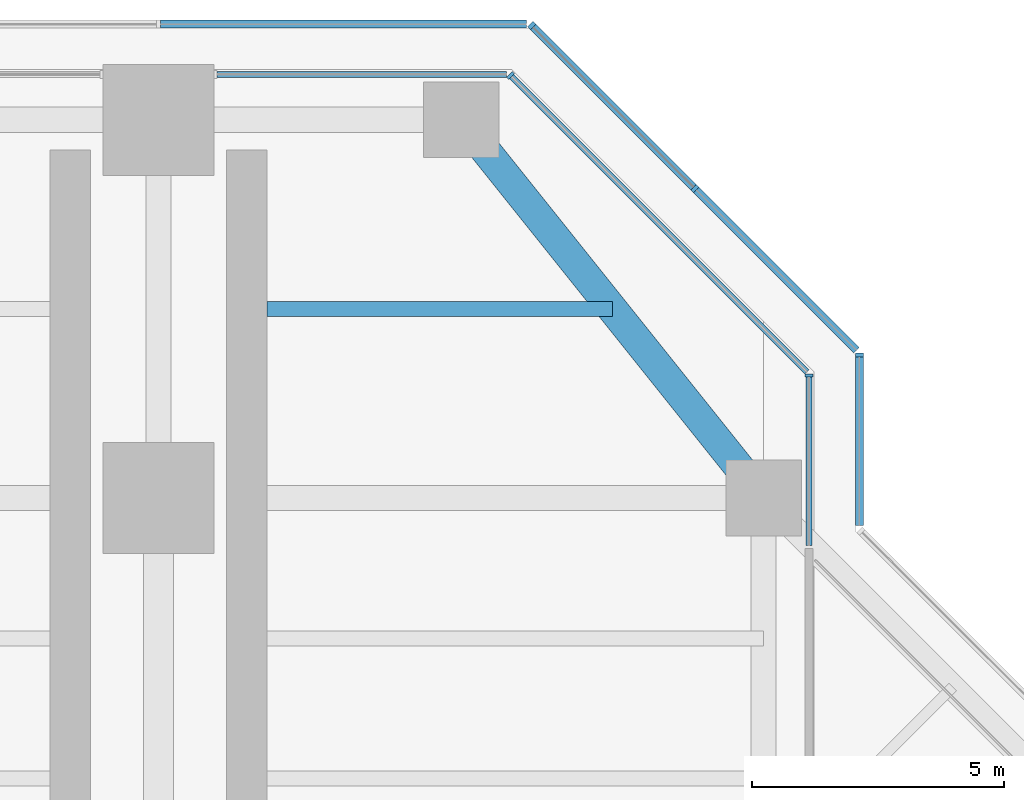
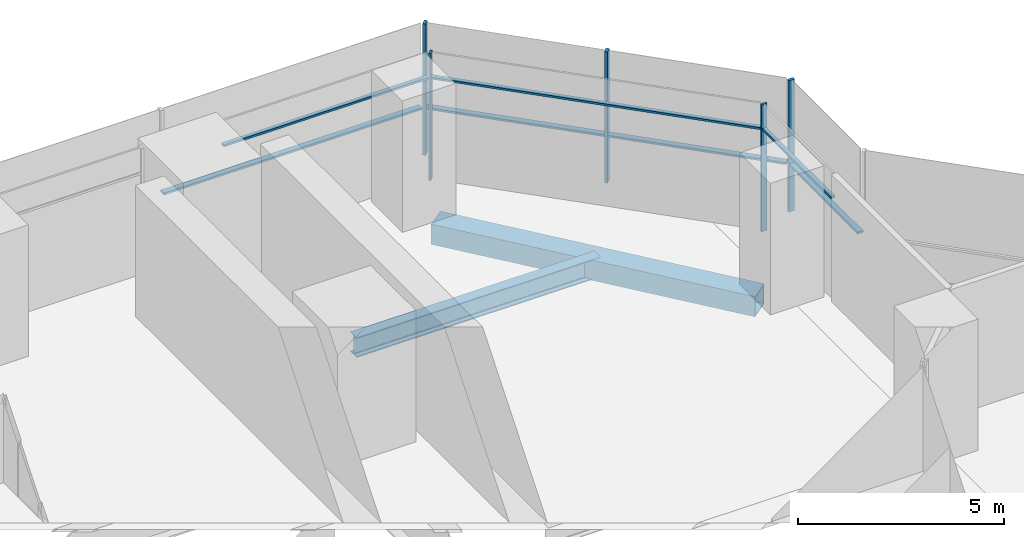
# One storey, part 9 of 17: 12 members, 2 beams, 6 elements without a shape of their own.
"""IFC4 building model written with IfcOpenShell, lengths in metres."""

from ifc_helpers import new_model, si_unit, direction, frame, origin, origin_2d, place, context, subcontext, project, spatial, rectangle, hollow_rectangle, i_section, extrude, material, material_profile, profile_set, type_object, element, aggregate, save


model = new_model("IFC4")

# Units and contexts
model_context = context("Model", 3, precision=1e-05, world=origin(), true_north=direction((0.0, 1.0)))
body_context = subcontext(model_context, "Body", "Model", "MODEL_VIEW")
ifc_project = project(units=[si_unit("LENGTHUNIT", "METRE"), si_unit("AREAUNIT", "SQUARE_METRE"), si_unit("VOLUMEUNIT", "CUBIC_METRE"), si_unit("PLANEANGLEUNIT", "RADIAN"), si_unit("MASSUNIT", "GRAM", prefix="KILO")], contexts=[model_context])

# Site, building, storey
site_placement = place(None, origin())
site = spatial("IfcSite", under=ifc_project, at=site_placement, CompositionType="ELEMENT")
building_placement = place(site_placement, origin())
building = spatial("IfcBuilding", under=site, at=building_placement, Name="Mizan Broadcast Tower", CompositionType="ELEMENT")
storey_placement = place(building_placement, frame((0.0, 0.0, 243.89990234375)))
storey = spatial("IfcBuildingStorey", under=building, at=storey_placement, Name="L57", CompositionType="ELEMENT", Elevation=243.89990234375)

# Beam
ifc_material_1 = material(Name="Steel S355", Category="steel")
ifc_material_profile_1 = material_profile(ifc_material_1, hollow_rectangle(XDim=0.60009765625, YDim=0.60009765625, WallThickness=0.030029296875, at=origin_2d()), Name="BOX 600x600x30")
ifc_profile_set_1 = profile_set([ifc_material_profile_1], Name="Steel S355")
beam_type_1 = type_object("IfcBeamType", Name="EDGE BEAM BOX 600x600x30", PredefinedType="SPANDREL", material=ifc_profile_set_1)
beam_1_placement = place(storey_placement, frame((11.639892578125, 19.949951171875, -0.429931640625), z_axis=(-0.624673911726, 0.780885717636, 0.0), x_axis=(-0.780885717636, -0.624673911726, 0.0)))
element("IfcBeam", 1, at=beam_1_placement, inside=storey, type_object=beam_type_1, Name="Edge beam BOX 600x600x30 L57 north arm", PredefinedType="SPANDREL", context=body_context, shape_type="SweptSolid", body=[
    extrude(hollow_rectangle(XDim=0.60009765625, YDim=0.60009765625, WallThickness=0.030029296875, at=origin_2d()), origin(), (0.0, 0.0, 1.0), 8.4521484375),
])

# Curtain wall, member
ifc_material_2 = material(Name="Aluminium framed glazing", Category="aluminium")
curtain_wall_type_1 = type_object("IfcCurtainWallType", Name="INNER SKIN HIGH ZONE", PredefinedType="USERDEFINED", material=ifc_material_2)
curtain_wall_1_placement = place(storey_placement, origin())
curtain_wall_1 = element("IfcCurtainWall", 2, at=curtain_wall_1_placement, inside=storey, type_object=curtain_wall_type_1, Name="Inner skin high zone L57 N side", ObjectType="INNER SKIN HIGH ZONE", PredefinedType="USERDEFINED")
ifc_material_3 = material(Name="Aluminium, pale anodised", Category="aluminium")
ifc_material_profile_2 = material_profile(ifc_material_3, rectangle(XDim=0.159912109375, YDim=0.06005859375, at=origin_2d()), Name="MULLION 160x60")
ifc_profile_set_2 = profile_set([ifc_material_profile_2], Name="Aluminium, pale anodised")
member_type_1 = type_object("IfcMemberType", Name="INNER SKIN MULLION 60x160", PredefinedType="MULLION", material=ifc_profile_set_2)
member_1_placement = place(storey_placement, frame((12.89990234375, 21.928466796875, 0.0), z_axis=(0.0, 0.0, 1.0), x_axis=(-1.0, 0.0, 0.0)))
member_1 = element("IfcMember", 3, at=member_1_placement, type_object=member_type_1, Name="Inner skin high zone L57 N side mullion 2", PredefinedType="MULLION", context=body_context, shape_type="SweptSolid", body=[
    extrude(rectangle(XDim=0.159912109375, YDim=0.06005859375, at=origin_2d()), origin(), (0.0, 0.0, 1.0), 3.77001953125),
])

curtain_wall_2_placement = place(storey_placement, origin())
curtain_wall_2 = element("IfcCurtainWall", 4, at=curtain_wall_2_placement, inside=storey, type_object=curtain_wall_type_1, Name="Inner skin high zone L57 N chamfer", ObjectType="INNER SKIN HIGH ZONE", PredefinedType="USERDEFINED")
member_2_placement = place(storey_placement, frame((6.979736328125, 27.87890625, 0.0), z_axis=(0.0, 0.0, 1.0), x_axis=(-0.707106781187, -0.707106781187, 0.0)))
member_2 = element("IfcMember", 5, at=member_2_placement, type_object=member_type_1, Name="Inner skin high zone L57 N chamfer mullion 2", PredefinedType="MULLION", context=body_context, shape_type="SweptSolid", body=[
    extrude(rectangle(XDim=0.159912109375, YDim=0.06005859375, at=origin_2d()), origin(), (0.0, 0.0, 1.0), 3.77001953125),
])

# Member
ifc_material_4 = material(Name="Aluminium, pale anodised", Category="aluminium")
ifc_material_profile_3 = material_profile(ifc_material_4, rectangle(XDim=0.1201171875, YDim=0.06005859375, at=origin_2d()), Name="TRANSOM 120x60")
ifc_profile_set_3 = profile_set([ifc_material_profile_3], Name="Aluminium, pale anodised")
member_type_2 = type_object("IfcMemberType", Name="INNER SKIN TRANSOM 60x120", PredefinedType="USERDEFINED", material=ifc_profile_set_3)
member_3_placement = place(storey_placement, frame((12.89990234375, 18.56005859375, 3.030029296875), z_axis=(0.0, 1.0, 0.0), x_axis=(-1.0, 0.0, 0.0)))
member_3 = element("IfcMember", 6, at=member_3_placement, type_object=member_type_2, Name="Inner skin high zone L57 N side transom 1.1", ObjectType="TRANSOM", PredefinedType="USERDEFINED", context=body_context, shape_type="SweptSolid", body=[
    extrude(rectangle(XDim=0.1201171875, YDim=0.06005859375, at=origin_2d()), origin(), (0.0, 0.0, 1.0), 3.338623046875),
])

aggregate(curtain_wall_1, [member_1, member_3])

member_4_placement = place(storey_placement, frame((12.857666015625, 22.0009765625, 3.030029296875), z_axis=(-0.707106781187, 0.707106781187, 0.0), x_axis=(-0.707106781187, -0.707106781187, 0.0)))
member_4 = element("IfcMember", 7, at=member_4_placement, type_object=member_type_2, Name="Inner skin high zone L57 N chamfer transom 1.1", ObjectType="TRANSOM", PredefinedType="USERDEFINED", context=body_context, shape_type="SweptSolid", body=[
    extrude(rectangle(XDim=0.1201171875, YDim=0.06005859375, at=origin_2d()), origin(), (0.0, 0.0, 1.0), 8.28271484375),
])

aggregate(curtain_wall_2, [member_2, member_4])

# Curtain wall, member
curtain_wall_3_placement = place(storey_placement, origin())
curtain_wall_3 = element("IfcCurtainWall", 8, at=curtain_wall_3_placement, inside=storey, type_object=curtain_wall_type_1, Name="Inner skin high zone L57 N end", ObjectType="INNER SKIN HIGH ZONE", PredefinedType="USERDEFINED")
member_5_placement = place(storey_placement, frame((6.898681640625, 27.89990234375, 3.030029296875), z_axis=(-1.0, 0.0, 0.0), x_axis=(0.0, -1.0, 0.0)))
member_5 = element("IfcMember", 9, at=member_5_placement, type_object=member_type_2, Name="Inner skin high zone L57 N end transom 1.1", ObjectType="TRANSOM", PredefinedType="USERDEFINED", context=body_context, shape_type="SweptSolid", body=[
    extrude(rectangle(XDim=0.1201171875, YDim=0.06005859375, at=origin_2d()), origin(), (0.0, 0.0, 1.0), 5.73876953125),
])
aggregate(curtain_wall_3, [member_5])

ifc_material_5 = material(Name="Aluminium framed glazing", Category="aluminium")
curtain_wall_type_2 = type_object("IfcCurtainWallType", Name="OUTER SKIN", PredefinedType="USERDEFINED", material=ifc_material_5)
curtain_wall_4_placement = place(storey_placement, origin())
curtain_wall_4 = element("IfcCurtainWall", 10, at=curtain_wall_4_placement, inside=storey, type_object=curtain_wall_type_2, Name="Outer skin L57 N side", ObjectType="OUTER SKIN", PredefinedType="USERDEFINED")
ifc_material_6 = material(Name="Aluminium, pale anodised", Category="aluminium")
ifc_material_profile_4 = material_profile(ifc_material_6, rectangle(XDim=0.159912109375, YDim=0.080078125, at=origin_2d()), Name="MULLION 160x80")
ifc_profile_set_4 = profile_set([ifc_material_profile_4], Name="Aluminium, pale anodised")
member_type_3 = type_object("IfcMemberType", Name="OUTER SKIN MULLION 80x160", PredefinedType="MULLION", material=ifc_profile_set_4)
member_6_placement = place(storey_placement, frame((13.89990234375, 22.332763671875, 0.0), z_axis=(0.0, 0.0, 1.0), x_axis=(-1.0, 0.0, 0.0)))
member_6 = element("IfcMember", 11, at=member_6_placement, type_object=member_type_3, Name="Outer skin L57 N side mullion 2", PredefinedType="MULLION", context=body_context, shape_type="SweptSolid", body=[
    extrude(rectangle(XDim=0.159912109375, YDim=0.080078125, at=origin_2d()), origin(), (0.0, 0.0, 1.0), 3.900146484375),
])

# Curtain wall, members
curtain_wall_5_placement = place(storey_placement, origin())
curtain_wall_5 = element("IfcCurtainWall", 12, at=curtain_wall_5_placement, inside=storey, type_object=curtain_wall_type_2, Name="Outer skin L57 N chamfer", ObjectType="OUTER SKIN", PredefinedType="USERDEFINED")
member_7_placement = place(storey_placement, frame((10.636474609375, 25.636474609375, 0.0), z_axis=(0.0, 0.0, 1.0), x_axis=(-0.707106781187, -0.707106781187, 0.0)))
member_7 = element("IfcMember", 13, at=member_7_placement, type_object=member_type_3, Name="Outer skin L57 N chamfer mullion 2", PredefinedType="MULLION", context=body_context, shape_type="SweptSolid", body=[
    extrude(rectangle(XDim=0.159912109375, YDim=0.080078125, at=origin_2d()), origin(), (0.0, 0.0, 1.0), 3.900146484375),
])
member_8_placement = place(storey_placement, frame((7.401123046875, 28.871826171875, 0.0), z_axis=(0.0, 0.0, 1.0), x_axis=(-0.707106781187, -0.707106781187, 0.0)))
member_8 = element("IfcMember", 14, at=member_8_placement, type_object=member_type_3, Name="Outer skin L57 N chamfer mullion 3", PredefinedType="MULLION", context=body_context, shape_type="SweptSolid", body=[
    extrude(rectangle(XDim=0.159912109375, YDim=0.080078125, at=origin_2d()), origin(), (0.0, 0.0, 1.0), 3.900146484375),
])

# Member
ifc_material_7 = material(Name="Aluminium, pale anodised", Category="aluminium")
ifc_material_profile_5 = material_profile(ifc_material_7, rectangle(XDim=0.159912109375, YDim=0.06005859375, at=origin_2d()), Name="TRANSOM 160x60")
ifc_profile_set_5 = profile_set([ifc_material_profile_5], Name="Aluminium, pale anodised")
member_type_4 = type_object("IfcMemberType", Name="OUTER SKIN TRANSOM 60x160", PredefinedType="USERDEFINED", material=ifc_profile_set_5)
member_9_placement = place(storey_placement, frame((13.89990234375, 18.952880859375, 1.400146484375), z_axis=(0.0, 1.0, 0.0), x_axis=(-1.0, 0.0, 0.0)))
member_9 = element("IfcMember", 15, at=member_9_placement, type_object=member_type_4, Name="Outer skin L57 N side transom 1.1", ObjectType="TRANSOM", PredefinedType="USERDEFINED", context=body_context, shape_type="SweptSolid", body=[
    extrude(rectangle(XDim=0.159912109375, YDim=0.06005859375, at=origin_2d()), origin(), (0.0, 0.0, 1.0), 3.33984375),
])

aggregate(curtain_wall_4, [member_6, member_9])

member_10_placement = place(storey_placement, frame((13.843505859375, 22.429443359375, 1.400146484375), z_axis=(-0.707106781187, 0.707106781187, 0.0), x_axis=(-0.707106781187, -0.707106781187, 0.0)))
member_10 = element("IfcMember", 16, at=member_10_placement, type_object=member_type_4, Name="Outer skin L57 N chamfer transom 1.1", ObjectType="TRANSOM", PredefinedType="USERDEFINED", context=body_context, shape_type="SweptSolid", body=[
    extrude(rectangle(XDim=0.159912109375, YDim=0.06005859375, at=origin_2d()), origin(), (0.0, 0.0, 1.0), 4.495361328125),
])

member_11_placement = place(storey_placement, frame((10.608154296875, 25.664794921875, 1.400146484375), z_axis=(-0.707106781187, 0.707106781187, 0.0), x_axis=(-0.707106781187, -0.707106781187, 0.0)))
member_11 = element("IfcMember", 17, at=member_11_placement, type_object=member_type_4, Name="Outer skin L57 N chamfer transom 2.1", ObjectType="TRANSOM", PredefinedType="USERDEFINED", context=body_context, shape_type="SweptSolid", body=[
    extrude(rectangle(XDim=0.159912109375, YDim=0.06005859375, at=origin_2d()), origin(), (0.0, 0.0, 1.0), 4.495361328125),
])

aggregate(curtain_wall_5, [member_7, member_8, member_10, member_11])

# Curtain wall, member
curtain_wall_6_placement = place(storey_placement, origin())
curtain_wall_6 = element("IfcCurtainWall", 18, at=curtain_wall_6_placement, inside=storey, type_object=curtain_wall_type_2, Name="Outer skin L57 N end", ObjectType="OUTER SKIN", PredefinedType="USERDEFINED")
member_12_placement = place(storey_placement, frame((7.292724609375, 28.89990234375, 1.400146484375), z_axis=(-1.0, 0.0, 0.0), x_axis=(0.0, -1.0, 0.0)))
member_12 = element("IfcMember", 19, at=member_12_placement, type_object=member_type_4, Name="Outer skin L57 N end transom 1.1", ObjectType="TRANSOM", PredefinedType="USERDEFINED", context=body_context, shape_type="SweptSolid", body=[
    extrude(rectangle(XDim=0.159912109375, YDim=0.06005859375, at=origin_2d()), origin(), (0.0, 0.0, 1.0), 7.252685546875),
])
aggregate(curtain_wall_6, [member_12])

# Beam
ifc_material_8 = material(Name="Steel S355", Category="steel")
ifc_material_profile_6 = material_profile(ifc_material_8, i_section(OverallWidth=0.300048828125, OverallDepth=0.590087890625, WebThickness=0.012939453125, FlangeThickness=0.02490234375, FilletRadius=0.027099609375, at=origin_2d()), Name="HEA 600")
ifc_profile_set_6 = profile_set([ifc_material_profile_6], Name="Steel S355")
beam_type_2 = type_object("IfcBeamType", Name="SECONDARY BEAM HEA 600", PredefinedType="JOIST", material=ifc_profile_set_6)
beam_2_placement = place(storey_placement, frame((9.0, 23.25, -0.4248046875), z_axis=(-1.0, 0.0, 0.0), x_axis=(0.0, -1.0, 0.0)))
element("IfcBeam", 20, at=beam_2_placement, inside=storey, type_object=beam_type_2, Name="Secondary beam HEA 600 L57 north arm", PredefinedType="JOIST", context=body_context, shape_type="SweptSolid", body=[
    extrude(i_section(OverallWidth=0.300048828125, OverallDepth=0.590087890625, WebThickness=0.012939453125, FlangeThickness=0.02490234375, FilletRadius=0.027099609375, at=origin_2d()), origin(), (0.0, 0.0, 1.0), 6.85009765625),
])

save(model, "model.ifc")
